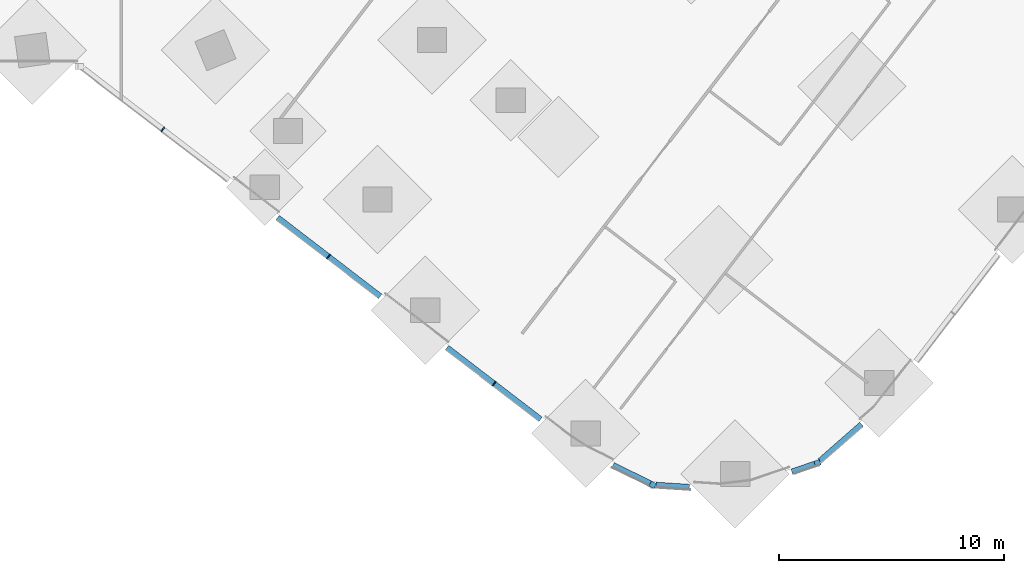
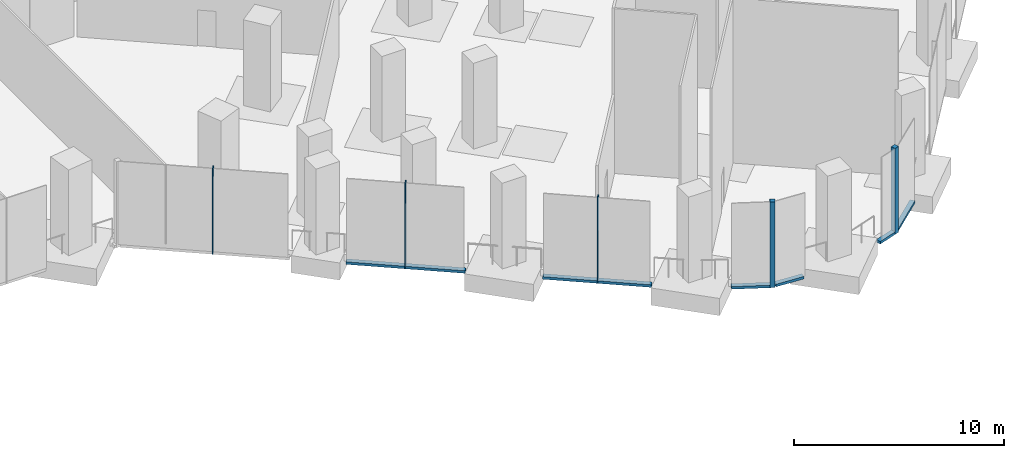
# One storey, part 6 of 27: 11 members, 5 elements without a shape of their own.
"""IFC4 building model written with IfcOpenShell, lengths in metres."""

from ifc_helpers import new_model, si_unit, direction, frame, origin, origin_2d, place, context, subcontext, project, spatial, rectangle, extrude, material, material_profile, profile_set, type_object, element, aggregate, save


model = new_model("IFC4")

# Units and contexts
model_context = context("Model", 3, precision=1e-05, world=origin(), true_north=direction((0.0, 1.0)))
body_context = subcontext(model_context, "Body", "Model", "MODEL_VIEW")
ifc_project = project(units=[si_unit("LENGTHUNIT", "METRE"), si_unit("AREAUNIT", "SQUARE_METRE"), si_unit("VOLUMEUNIT", "CUBIC_METRE"), si_unit("PLANEANGLEUNIT", "RADIAN"), si_unit("MASSUNIT", "GRAM", prefix="KILO")], contexts=[model_context])

# Site, building, storey
site_placement = place(None, origin())
site = spatial("IfcSite", under=ifc_project, at=site_placement, CompositionType="ELEMENT")
building_placement = place(site_placement, origin())
building = spatial("IfcBuilding", under=site, at=building_placement, Name="Orlundy Tower", CompositionType="ELEMENT")
storey_placement = place(building_placement, frame((0.0, 0.0, 10.5)))
storey = spatial("IfcBuildingStorey", under=building, at=storey_placement, Name="L01", CompositionType="ELEMENT", Elevation=10.5)

# Curtain wall, member
ifc_material_1 = material(Name="Aluminium bronze anodised", Category="aluminium")
curtain_wall_type = type_object("IfcCurtainWallType", Name="CW2 wall", PredefinedType="NOTDEFINED", material=ifc_material_1)
curtain_wall_1_placement = place(storey_placement, origin())
curtain_wall_1 = element("IfcCurtainWall", 1, at=curtain_wall_1_placement, inside=storey, type_object=curtain_wall_type, Name="CW2 run 025", PredefinedType="NOTDEFINED")
ifc_material_2 = material(Name="Aluminium bronze anodised", Category="aluminium")
ifc_material_profile_1 = material_profile(ifc_material_2, rectangle(XDim=0.25, YDim=0.25, at=origin_2d()), Name="CW2 corner post 250x250")
ifc_profile_set_1 = profile_set([ifc_material_profile_1], Name="Aluminium bronze anodised")
member_type_1 = type_object("IfcMemberType", Name="CW2 corner post 250x250", PredefinedType="MULLION", material=ifc_profile_set_1)
member_1_placement = place(storey_placement, frame((38.8828125, -47.71435546875, -0.39990234375), z_axis=(0.0, 0.0, 1.0), x_axis=(0.321564171921, -0.946887788144, 0.0)))
member_1 = element("IfcMember", 2, at=member_1_placement, type_object=member_type_1, Name="CW2 mullion 66", PredefinedType="MULLION", context=body_context, shape_type="SweptSolid", body=[
    extrude(rectangle(XDim=0.25, YDim=0.25, at=origin_2d()), origin(), (0.0, 0.0, 1.0), 5.0),
])

curtain_wall_2_placement = place(storey_placement, origin())
curtain_wall_2 = element("IfcCurtainWall", 3, at=curtain_wall_2_placement, inside=storey, type_object=curtain_wall_type, Name="CW2 run 027", PredefinedType="NOTDEFINED")
member_2_placement = place(storey_placement, frame((31.576904296875, -48.676025390625, -0.39990234375), z_axis=(0.0, 0.0, 1.0), x_axis=(-0.442241939743, -0.896895794801, 0.0)))
member_2 = element("IfcMember", 4, at=member_2_placement, type_object=member_type_1, Name="CW2 mullion 68", PredefinedType="MULLION", context=body_context, shape_type="SweptSolid", body=[
    extrude(rectangle(XDim=0.25, YDim=0.25, at=origin_2d()), origin(), (0.0, 0.0, 1.0), 5.0),
])

# Curtain wall, members
curtain_wall_3_placement = place(storey_placement, origin())
curtain_wall_3 = element("IfcCurtainWall", 5, at=curtain_wall_3_placement, inside=storey, type_object=curtain_wall_type, Name="CW2 run 00", PredefinedType="NOTDEFINED")
ifc_material_3 = material(Name="Aluminium bronze anodised", Category="aluminium")
ifc_material_profile_2 = material_profile(ifc_material_3, rectangle(XDim=0.25, YDim=0.050048828125, at=origin_2d()), Name="CW2 mullion 50x250")
ifc_profile_set_2 = profile_set([ifc_material_profile_2], Name="Aluminium bronze anodised")
member_type_2 = type_object("IfcMemberType", Name="CW2 mullion 50x250", PredefinedType="MULLION", material=ifc_profile_set_2)
member_3_placement = place(storey_placement, frame((24.5361328125, -44.194091796875, -0.39990234375), z_axis=(0.0, 0.0, 1.0), x_axis=(-0.60875715215, -0.793356622022, 0.0)))
member_3 = element("IfcMember", 6, at=member_3_placement, type_object=member_type_2, Name="CW2 mullion 2", PredefinedType="MULLION", context=body_context, shape_type="SweptSolid", body=[
    extrude(rectangle(XDim=0.25, YDim=0.050048828125, at=origin_2d()), origin(), (0.0, 0.0, 1.0), 5.0),
])
member_4_placement = place(storey_placement, frame((17.1884765625, -38.55615234375, -0.39990234375), z_axis=(0.0, 0.0, 1.0), x_axis=(-0.60875715215, -0.793356622022, 0.0)))
member_4 = element("IfcMember", 7, at=member_4_placement, type_object=member_type_2, Name="CW2 mullion 4", PredefinedType="MULLION", context=body_context, shape_type="SweptSolid", body=[
    extrude(rectangle(XDim=0.25, YDim=0.050048828125, at=origin_2d()), origin(), (0.0, 0.0, 1.0), 5.0),
])
member_5_placement = place(storey_placement, frame((9.8408203125, -32.918212890625, -0.39990234375), z_axis=(0.0, 0.0, 1.0), x_axis=(-0.60875715215, -0.793356622022, 0.0)))
member_5 = element("IfcMember", 8, at=member_5_placement, type_object=member_type_2, Name="CW2 mullion 6", PredefinedType="MULLION", context=body_context, shape_type="SweptSolid", body=[
    extrude(rectangle(XDim=0.25, YDim=0.050048828125, at=origin_2d()), origin(), (0.0, 0.0, 1.0), 5.0),
])
ifc_material_4 = material(Name="Aluminium bronze anodised", Category="aluminium")
ifc_material_profile_3 = material_profile(ifc_material_4, rectangle(XDim=0.25, YDim=0.14990234375, at=origin_2d()), Name="CW2 transom 250x150")
ifc_profile_set_3 = profile_set([ifc_material_profile_3], Name="Aluminium bronze anodised")
member_type_3 = type_object("IfcMemberType", Name="CW2 transom 250x150", PredefinedType="USERDEFINED", material=ifc_profile_set_3)
member_6_placement = place(storey_placement, frame((26.6005859375, -45.7783203125, -0.324951171875), z_axis=(-0.793353326608, 0.608761446841, 0.0), x_axis=(-0.608761446841, -0.793353326608, 0.0)))
member_6 = element("IfcMember", 9, at=member_6_placement, type_object=member_type_3, Name="CW2 transom", ObjectType="TRANSOM", PredefinedType="USERDEFINED", context=body_context, shape_type="SweptSolid", body=[
    extrude(rectangle(XDim=0.25, YDim=0.14990234375, at=origin_2d()), origin(), (0.0, 0.0, 1.0), 5.23486328125),
])
member_7_placement = place(storey_placement, frame((19.48681640625, -40.31982421875, -0.324951171875), z_axis=(-0.793350895308, 0.60876461536, 0.0), x_axis=(-0.60876461536, -0.793350895308, 0.0)))
member_7 = element("IfcMember", 10, at=member_7_placement, type_object=member_type_3, Name="CW2 transom", ObjectType="TRANSOM", PredefinedType="USERDEFINED", context=body_context, shape_type="SweptSolid", body=[
    extrude(rectangle(XDim=0.25, YDim=0.14990234375, at=origin_2d()), origin(), (0.0, 0.0, 1.0), 5.739013671875),
])
aggregate(curtain_wall_3, [member_3, member_4, member_5, member_6, member_7])

# Curtain wall, member
curtain_wall_4_placement = place(storey_placement, origin())
curtain_wall_4 = element("IfcCurtainWall", 11, at=curtain_wall_4_placement, inside=storey, type_object=curtain_wall_type, Name="CW2 run 024", PredefinedType="NOTDEFINED")
member_8_placement = place(storey_placement, frame((40.83935546875, -45.99853515625, -0.324951171875), z_axis=(-0.751852912814, -0.65933087103, 0.0), x_axis=(0.65933087103, -0.751852912814, 0.0)))
member_8 = element("IfcMember", 12, at=member_8_placement, type_object=member_type_3, Name="CW2 transom", ObjectType="TRANSOM", PredefinedType="USERDEFINED", context=body_context, shape_type="SweptSolid", body=[
    extrude(rectangle(XDim=0.25, YDim=0.14990234375, at=origin_2d()), origin(), (0.0, 0.0, 1.0), 2.46728515625),
])
aggregate(curtain_wall_4, [member_8])

# Member
member_9_placement = place(storey_placement, frame((38.764404296875, -47.754638671875, -0.324951171875), z_axis=(-0.946873759129, -0.321605479234, 0.0), x_axis=(0.321605479234, -0.946873759129, 0.0)))
member_9 = element("IfcMember", 13, at=member_9_placement, type_object=member_type_3, Name="CW2 transom", ObjectType="TRANSOM", PredefinedType="USERDEFINED", context=body_context, shape_type="SweptSolid", body=[
    extrude(rectangle(XDim=0.25, YDim=0.14990234375, at=origin_2d()), origin(), (0.0, 0.0, 1.0), 1.074951171875),
])

aggregate(curtain_wall_1, [member_1, member_9])

# Curtain wall, member
curtain_wall_5_placement = place(storey_placement, origin())
curtain_wall_5 = element("IfcCurtainWall", 14, at=curtain_wall_5_placement, inside=storey, type_object=curtain_wall_type, Name="CW2 run 026", PredefinedType="NOTDEFINED")
member_10_placement = place(storey_placement, frame((33.1962890625, -48.782470703125, -0.324951171875), z_axis=(-0.997853610003, 0.065484143156, 0.0), x_axis=(-0.065484143156, -0.997853610003, 0.0)))
member_10 = element("IfcMember", 15, at=member_10_placement, type_object=member_type_3, Name="CW2 transom", ObjectType="TRANSOM", PredefinedType="USERDEFINED", context=body_context, shape_type="SweptSolid", body=[
    extrude(rectangle(XDim=0.25, YDim=0.14990234375, at=origin_2d()), origin(), (0.0, 0.0, 1.0), 1.487548828125),
])
aggregate(curtain_wall_5, [member_10])

# Member
member_11_placement = place(storey_placement, frame((31.46484375, -48.620849609375, -0.324951171875), z_axis=(-0.896897434539, 0.442238614231, 0.0), x_axis=(-0.442238614231, -0.896897434539, 0.0)))
member_11 = element("IfcMember", 16, at=member_11_placement, type_object=member_type_3, Name="CW2 transom", ObjectType="TRANSOM", PredefinedType="USERDEFINED", context=body_context, shape_type="SweptSolid", body=[
    extrude(rectangle(XDim=0.25, YDim=0.14990234375, at=origin_2d()), origin(), (0.0, 0.0, 1.0), 1.84765625),
])

aggregate(curtain_wall_2, [member_2, member_11])

save(model, "model.ifc")
